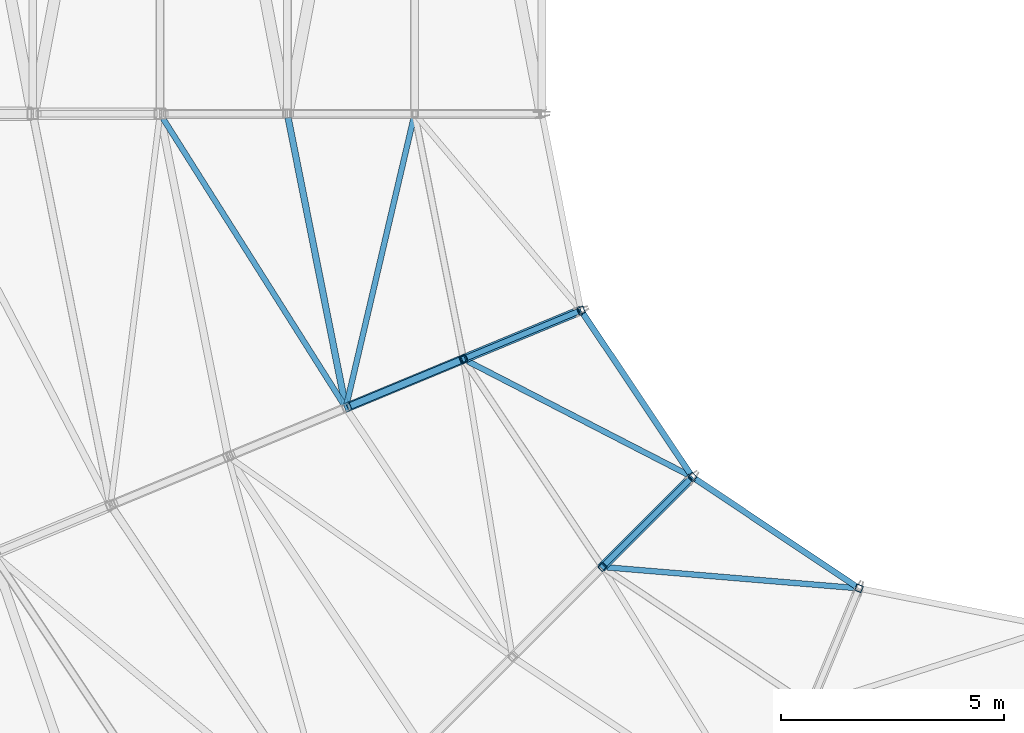
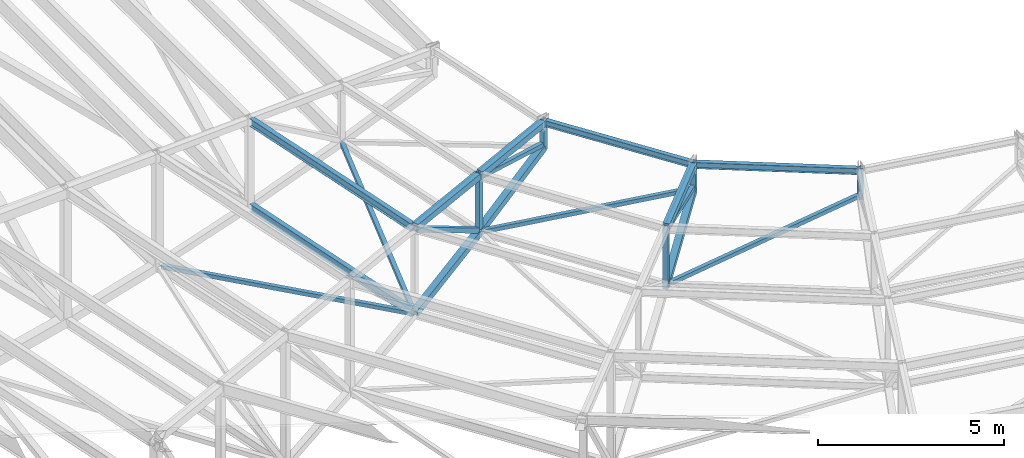
# One storey, part 15 of 278: 11 beams, 11 members.
"""IFC4 building model written with IfcOpenShell, lengths in metres."""

from ifc_helpers import new_model, si_unit, direction, frame, origin, origin_2d, place, context, subcontext, project, spatial, hollow_rectangle, i_section, extrude, material, material_profile, profile_set, type_object, element, save


model = new_model("IFC4")

# Units and contexts
model_context = context("Model", 3, precision=1e-05, world=origin(), true_north=direction((0.0, 1.0)))
body_context = subcontext(model_context, "Body", "Model", "MODEL_VIEW")
ifc_project = project(units=[si_unit("LENGTHUNIT", "METRE"), si_unit("AREAUNIT", "SQUARE_METRE"), si_unit("VOLUMEUNIT", "CUBIC_METRE"), si_unit("PLANEANGLEUNIT", "RADIAN"), si_unit("MASSUNIT", "GRAM", prefix="KILO")], contexts=[model_context])

# Site, building, storey
site_placement = place(None, origin())
site = spatial("IfcSite", under=ifc_project, at=site_placement, CompositionType="ELEMENT")
building_placement = place(site_placement, origin())
building = spatial("IfcBuilding", under=site, at=building_placement, Name="Ogive Plaza Stadium", CompositionType="ELEMENT")
storey_placement = place(building_placement, frame((0.0, 0.0, 29.0)))
storey = spatial("IfcBuildingStorey", under=building, at=storey_placement, Name="Roof", CompositionType="ELEMENT", Elevation=29.0)

# Members
ifc_material_1 = material(Name="Steel ASTM A500 Grade C", Category="steel")
ifc_material_profile_1 = material_profile(ifc_material_1, hollow_rectangle(XDim=0.126953125, YDim=0.126953125, WallThickness=0.005859375, at=origin_2d()), Name="HSS5X5X1/4")
ifc_profile_set_1 = profile_set([ifc_material_profile_1], Name="Steel ASTM A500 Grade C")
member_type_1 = type_object("IfcMemberType", Name="Roof plan brace HSS5X5X1/4", PredefinedType="BRACE", material=ifc_profile_set_1)
member_1_placement = place(storey_placement, frame((-38.470947265625, -63.118896484375, 6.51171875), z_axis=(-0.974951652245, 0.081056653084, -0.207120966527), x_axis=(-0.082853298664, -0.996561754685, 0.0)))
element("IfcMember", 1, at=member_1_placement, inside=storey, type_object=member_type_1, Name="ROOF BRACE B18 1", PredefinedType="BRACE", context=body_context, shape_type="SweptSolid", body=[
    extrude(hollow_rectangle(XDim=0.126953125, YDim=0.126953125, WallThickness=0.005859375, at=origin_2d()), origin(), (0.0, 0.0, 1.0), 5.695556640625),
])
member_2_placement = place(storey_placement, frame((-42.1943359375, -60.599609375, 6.51171875), z_axis=(-0.86971173479, 0.447994348676, -0.207129336217), x_axis=(-0.457925110267, -0.888990772386, 0.0)))
element("IfcMember", 2, at=member_2_placement, inside=storey, type_object=member_type_1, Name="ROOF BRACE B19 1", PredefinedType="BRACE", context=body_context, shape_type="SweptSolid", body=[
    extrude(hollow_rectangle(XDim=0.126953125, YDim=0.126953125, WallThickness=0.005859375, at=origin_2d()), origin(), (0.0, 0.0, 1.0), 5.6953125),
])
member_3_placement = place(storey_placement, frame((-48.364501953125, -52.5615234375, 5.295654296875), z_axis=(-0.224974455098, -0.961217902804, -0.159520023456), x_axis=(0.973686254096, -0.227892690942, 0.0)))
element("IfcMember", 3, at=member_3_placement, inside=storey, type_object=member_type_1, Name="ROOF BRACE B20 2", PredefinedType="BRACE", context=body_context, shape_type="SweptSolid", body=[
    extrude(hollow_rectangle(XDim=0.126953125, YDim=0.126953125, WallThickness=0.005859375, at=origin_2d()), origin(), (0.0, 0.0, 1.0), 6.6728515625),
])
member_4_placement = place(storey_placement, frame((-49.921875, -59.032958984375, 4.206298828125), z_axis=(-0.530140708095, 0.838964253402, -0.122840592371), x_axis=(-0.845366710176, -0.534186414397, 0.0)))
element("IfcMember", 4, at=member_4_placement, inside=storey, type_object=member_type_1, Name="ROOF BRACE B20 3", PredefinedType="BRACE", context=body_context, shape_type="SweptSolid", body=[
    extrude(hollow_rectangle(XDim=0.126953125, YDim=0.126953125, WallThickness=0.005859375, at=origin_2d()), origin(), (0.0, 0.0, 1.0), 7.65576171875),
])
ifc_material_2 = material(Name="Steel ASTM A992 Grade 50", Category="steel")
ifc_material_profile_2 = material_profile(ifc_material_2, i_section(OverallWidth=0.14599609375, OverallDepth=0.25830078125, WebThickness=0.006103515625, FlangeThickness=0.009033203125, at=origin_2d()), Name="W10X22")
ifc_profile_set_2 = profile_set([ifc_material_profile_2], Name="Steel ASTM A992 Grade 50")
member_type_2 = type_object("IfcMemberType", Name="Roof plan strut W10X22", PredefinedType="STRUT", material=ifc_profile_set_2)
member_5_placement = place(storey_placement, frame((-49.90283203125, -59.021240234375, 4.213623046875), z_axis=(-0.195099869772, 0.980783381188, 0.0), x_axis=(-0.980783381188, -0.195099869772, 0.0)))
element("IfcMember", 5, at=member_5_placement, inside=storey, type_object=member_type_2, Name="ROOF STRUT B20 2", PredefinedType="STRUT", context=body_context, shape_type="SweptSolid", body=[
    extrude(i_section(OverallWidth=0.14599609375, OverallDepth=0.25830078125, WebThickness=0.006103515625, FlangeThickness=0.009033203125, at=origin_2d()), origin(), (0.0, 0.0, 1.0), 6.560791015625),
])
ifc_material_3 = material(Name="Steel ASTM A992 Grade 50", Category="steel")
ifc_material_profile_3 = material_profile(ifc_material_3, i_section(OverallWidth=0.14599609375, OverallDepth=0.25830078125, WebThickness=0.006103515625, FlangeThickness=0.009033203125, at=origin_2d()), Name="W10X22")
ifc_profile_set_3 = profile_set([ifc_material_profile_3], Name="Steel ASTM A992 Grade 50")
member_type_3 = type_object("IfcMemberType", Name="Roof purlin W10X22", PredefinedType="PURLIN", material=ifc_profile_set_3)
member_6_placement = place(storey_placement, frame((-49.90283203125, -59.021240234375, 7.0107421875), z_axis=(-0.195099869772, 0.980783381188, 0.0), x_axis=(-0.980783381188, -0.195099869772, 0.0)))
element("IfcMember", 6, at=member_6_placement, inside=storey, type_object=member_type_3, Name="ROOF PURLIN B20 2", PredefinedType="PURLIN", context=body_context, shape_type="SweptSolid", body=[
    extrude(i_section(OverallWidth=0.14599609375, OverallDepth=0.25830078125, WebThickness=0.006103515625, FlangeThickness=0.009033203125, at=origin_2d()), origin(), (0.0, 0.0, 1.0), 6.560791015625),
])
ifc_material_4 = material(Name="Steel ASTM A992 Grade 50", Category="steel")
ifc_material_profile_4 = material_profile(ifc_material_4, i_section(OverallWidth=0.13330078125, OverallDepth=0.206787109375, WebThickness=0.005859375, FlangeThickness=0.00830078125, at=origin_2d()), Name="W8X18")
ifc_profile_set_4 = profile_set([ifc_material_profile_4], Name="Steel ASTM A992 Grade 50")
member_type_4 = type_object("IfcMemberType", Name="Roof tip ring beam W8X18", PredefinedType="MEMBER", material=ifc_profile_set_4)
for number, where, z_axis, x_axis, name in (
    (7, (-38.45166015625, -63.0908203125, 7.321533203125), (-0.831447486462, 0.555603345252, 0.0), (-0.555603345252, -0.831447486462, 0.0), "RING BEAM B18"),
    (8, (-42.16552734375, -60.5810546875, 7.321533203125), (-0.555603345252, 0.831447486462, 0.0), (-0.831447486462, -0.555603345252, 0.0), "RING BEAM B19"),
):
    element("IfcMember", number, at=place(storey_placement, frame(where, z_axis=z_axis, x_axis=x_axis)), inside=storey, type_object=member_type_4, Name=name, PredefinedType="MEMBER", context=body_context, shape_type="SweptSolid", body=[
        extrude(i_section(OverallWidth=0.13330078125, OverallDepth=0.206787109375, WebThickness=0.005859375, FlangeThickness=0.00830078125, at=origin_2d()), origin(), (0.0, 0.0, 1.0), 4.365234375),
    ])

# Beams
ifc_material_5 = material(Name="Steel ASTM A500 Grade C", Category="steel")
ifc_material_profile_5 = material_profile(ifc_material_5, hollow_rectangle(XDim=0.203125, YDim=0.203125, WallThickness=0.01171875, at=origin_2d()), Name="HSS8X8X1/2")
ifc_profile_set_5 = profile_set([ifc_material_profile_5], Name="Steel ASTM A500 Grade C")
beam_type_1 = type_object("IfcBeamType", Name="Roof truss bottom chord HSS8X8X1/2", PredefinedType="BEAM", material=ifc_profile_set_5)
for number, where, z_axis, x_axis, name in (
    (9, (-42.159912109375, -60.659912109375, 6.518310546875), (-0.649991641877, -0.649991641877, -0.393727991105), (0.707106781187, -0.707106781187, 0.0), "ROOF TRUSS T19 BOTTOM CHORD 1"),
    (10, (-44.66162109375, -56.916259765625, 6.518310546875), (-0.849251260717, -0.351765143459, -0.393743038055), (0.382677632008, -0.923881935076, 0.0), "ROOF TRUSS T20 BOTTOM CHORD 1"),
):
    element("IfcBeam", number, at=place(storey_placement, frame(where, z_axis=z_axis, x_axis=x_axis)), inside=storey, type_object=beam_type_1, Name=name, PredefinedType="BEAM", context=body_context, shape_type="SweptSolid", body=[
        extrude(hollow_rectangle(XDim=0.203125, YDim=0.203125, WallThickness=0.01171875, at=origin_2d()), origin(), (0.0, 0.0, 1.0), 3.047607421875),
    ])
beam_1_placement = place(storey_placement, frame((-47.291259765625, -58.00537109375, 5.299072265625), z_axis=(-0.862700869161, -0.357350015784, -0.357838198866), x_axis=(0.38269039354, -0.923876649068, 0.0)))
element("IfcBeam", 11, at=beam_1_placement, inside=storey, type_object=beam_type_1, Name="ROOF TRUSS T20 BOTTOM CHORD 2", PredefinedType="BEAM", context=body_context, shape_type="SweptSolid", body=[
    extrude(hollow_rectangle(XDim=0.203125, YDim=0.203125, WallThickness=0.01171875, at=origin_2d()), origin(), (0.0, 0.0, 1.0), 3.00048828125),
])

# Members
ifc_material_6 = material(Name="Steel ASTM A500 Grade C", Category="steel")
ifc_material_profile_6 = material_profile(ifc_material_6, hollow_rectangle(XDim=0.126953125, YDim=0.126953125, WallThickness=0.005859375, at=origin_2d()), Name="HSS5X5X1/4")
ifc_profile_set_6 = profile_set([ifc_material_profile_6], Name="Steel ASTM A500 Grade C")
member_type_5 = type_object("IfcMemberType", Name="Roof truss diagonal HSS5X5X1/4", PredefinedType="BRACE", material=ifc_profile_set_6)
for number, where, z_axis, x_axis, name in (
    (12, (-42.185546875, -60.685546875, 6.628173828125), (-0.69741961611, -0.69741961611, 0.164959868242), (0.707106781187, -0.707106781187, 0.0), "ROOF TRUSS T19 DIAGONAL 1"),
    (13, (-44.695068359375, -56.929931640625, 6.628173828125), (-0.911200476609, -0.377494789927, 0.164958706972), (0.382738120768, -0.923856877937, 0.0), "ROOF TRUSS T20 DIAGONAL 1"),
):
    element("IfcMember", number, at=place(storey_placement, frame(where, z_axis=z_axis, x_axis=x_axis)), inside=storey, type_object=member_type_5, Name=name, PredefinedType="BRACE", context=body_context, shape_type="SweptSolid", body=[
        extrude(hollow_rectangle(XDim=0.126953125, YDim=0.126953125, WallThickness=0.005859375, at=origin_2d()), origin(), (0.0, 0.0, 1.0), 2.735107421875),
    ])
ifc_material_7 = material(Name="Steel ASTM A500 Grade C", Category="steel")
ifc_material_profile_7 = material_profile(ifc_material_7, hollow_rectangle(XDim=0.15234375, YDim=0.15234375, WallThickness=0.005859375, at=origin_2d()), Name="HSS6X6X1/4")
ifc_profile_set_7 = profile_set([ifc_material_profile_7], Name="Steel ASTM A500 Grade C")
member_type_6 = type_object("IfcMemberType", Name="Roof truss diagonal HSS6X6X1/4", PredefinedType="BRACE", material=ifc_profile_set_7)
member_7_placement = place(storey_placement, frame((-47.328125, -58.020751953125, 5.407470703125), z_axis=(-0.803712399025, -0.332885582198, 0.493187153947), x_axis=(0.382660871212, -0.923888877324, 0.0)))
element("IfcMember", 14, at=member_7_placement, inside=storey, type_object=member_type_6, Name="ROOF TRUSS T20 DIAGONAL 2", PredefinedType="BRACE", context=body_context, shape_type="SweptSolid", body=[
    extrude(hollow_rectangle(XDim=0.15234375, YDim=0.15234375, WallThickness=0.005859375, at=origin_2d()), origin(), (0.0, 0.0, 1.0), 3.100830078125),
])

# Beams
ifc_material_8 = material(Name="Steel ASTM A500 Grade C", Category="steel")
ifc_material_profile_8 = material_profile(ifc_material_8, hollow_rectangle(XDim=0.15234375, YDim=0.15234375, WallThickness=0.0087890625, at=origin_2d()), Name="HSS6X6X3/8")
ifc_profile_set_8 = profile_set([ifc_material_profile_8], Name="Steel ASTM A500 Grade C")
beam_type_2 = type_object("IfcBeamType", Name="Roof truss post HSS6X6X3/8", PredefinedType="BEAM", material=ifc_profile_set_8)
for number, where, z_axis, x_axis, name in (
    (15, (-38.40087890625, -63.12451171875, 6.425048828125), (0.0, 0.0, 1.0), (0.923879532511, -0.382683432365, 0.0), "ROOF TRUSS T18 POST 1"),
    (16, (-42.1318359375, -60.6318359375, 6.425048828125), (0.0, 0.0, 1.0), (0.707106781187, -0.707106781187, 0.0), "ROOF TRUSS T19 POST 1"),
):
    element("IfcBeam", number, at=place(storey_placement, frame(where, z_axis=z_axis, x_axis=x_axis)), inside=storey, type_object=beam_type_2, Name=name, PredefinedType="BEAM", context=body_context, shape_type="SweptSolid", body=[
        extrude(hollow_rectangle(XDim=0.15234375, YDim=0.15234375, WallThickness=0.0087890625, at=origin_2d()), origin(), (0.0, 0.0, 1.0), 1.0),
    ])
beam_2_placement = place(storey_placement, frame((-44.14697265625, -62.64697265625, 5.204345703125), z_axis=(0.0, 0.0, 1.0), x_axis=(0.707106781187, -0.707106781187, 0.0)))
element("IfcBeam", 17, at=beam_2_placement, inside=storey, type_object=beam_type_2, Name="ROOF TRUSS T19 POST 2", PredefinedType="BEAM", context=body_context, shape_type="SweptSolid", body=[
    extrude(hollow_rectangle(XDim=0.15234375, YDim=0.15234375, WallThickness=0.0087890625, at=origin_2d()), origin(), (0.0, 0.0, 1.0), 2.078125),
])
beam_3_placement = place(storey_placement, frame((-44.62451171875, -56.90087890625, 6.425048828125), z_axis=(0.0, 0.0, 1.0), x_axis=(0.382683432365, -0.923879532511, 0.0)))
element("IfcBeam", 18, at=beam_3_placement, inside=storey, type_object=beam_type_2, Name="ROOF TRUSS T20 POST 1", PredefinedType="BEAM", context=body_context, shape_type="SweptSolid", body=[
    extrude(hollow_rectangle(XDim=0.15234375, YDim=0.15234375, WallThickness=0.0087890625, at=origin_2d()), origin(), (0.0, 0.0, 1.0), 1.0),
])
beam_4_placement = place(storey_placement, frame((-47.257568359375, -57.991455078125, 5.204345703125), z_axis=(0.0, 0.0, 1.0), x_axis=(0.382683432365, -0.923879532511, 0.0)))
element("IfcBeam", 19, at=beam_4_placement, inside=storey, type_object=beam_type_2, Name="ROOF TRUSS T20 POST 2", PredefinedType="BEAM", context=body_context, shape_type="SweptSolid", body=[
    extrude(hollow_rectangle(XDim=0.15234375, YDim=0.15234375, WallThickness=0.0087890625, at=origin_2d()), origin(), (0.0, 0.0, 1.0), 2.078125),
])
ifc_material_9 = material(Name="Steel ASTM A500 Grade C", Category="steel")
ifc_material_profile_9 = material_profile(ifc_material_9, hollow_rectangle(XDim=0.203125, YDim=0.203125, WallThickness=0.0087890625, at=origin_2d()), Name="HSS8X8X3/8")
ifc_profile_set_9 = profile_set([ifc_material_profile_9], Name="Steel ASTM A500 Grade C")
beam_type_3 = type_object("IfcBeamType", Name="Roof truss top chord HSS8X8X3/8", PredefinedType="BEAM", material=ifc_profile_set_9)
for number, where, z_axis, x_axis, name in (
    (20, (-42.160888671875, -60.660888671875, 7.3212890625), (-0.706223982221, -0.706223982221, -0.049953717305), (0.707106781187, -0.707106781187, 0.0), "ROOF TRUSS T19 TOP CHORD 1"),
    (21, (-44.66259765625, -56.91650390625, 7.3212890625), (-0.922709851429, -0.382245373816, -0.049950017735), (0.382723119906, -0.923863092395, 0.0), "ROOF TRUSS T20 TOP CHORD 1"),
    (22, (-47.295654296875, -58.00732421875, 7.1787109375), (-0.922740920758, -0.382170146482, -0.049951699644), (0.382647830777, -0.923894278368, 0.0), "ROOF TRUSS T20 TOP CHORD 2"),
):
    element("IfcBeam", number, at=place(storey_placement, frame(where, z_axis=z_axis, x_axis=x_axis)), inside=storey, type_object=beam_type_3, Name=name, PredefinedType="BEAM", context=body_context, shape_type="SweptSolid", body=[
        extrude(hollow_rectangle(XDim=0.203125, YDim=0.203125, WallThickness=0.0087890625, at=origin_2d()), origin(), (0.0, 0.0, 1.0), 2.771240234375),
    ])

save(model, "model.ifc")
